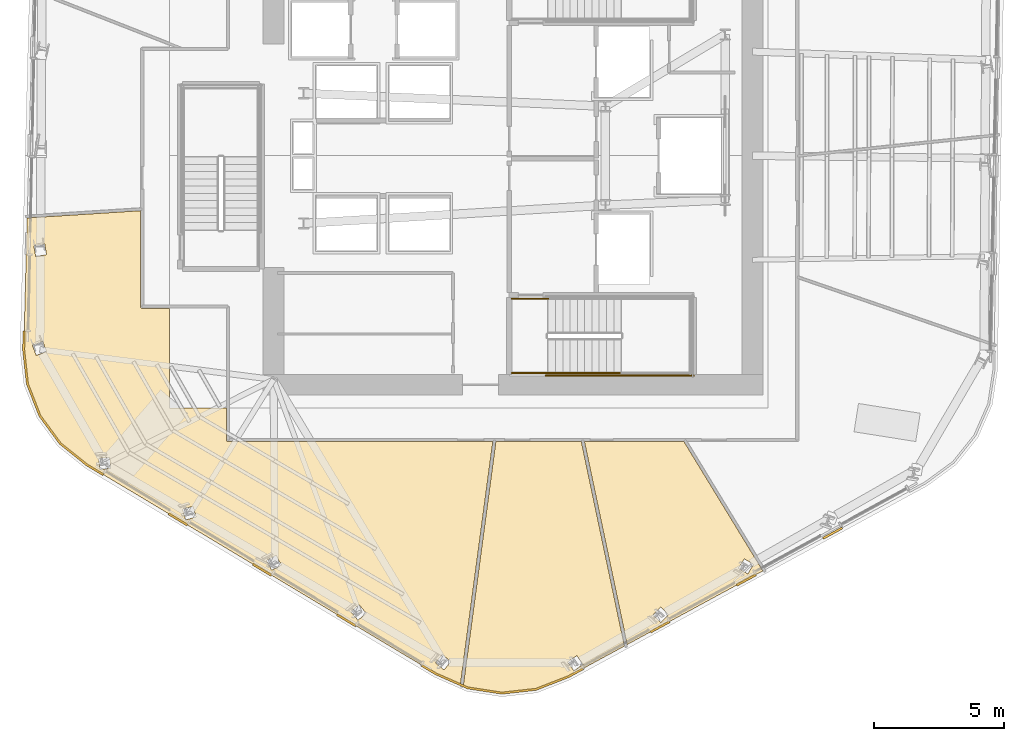
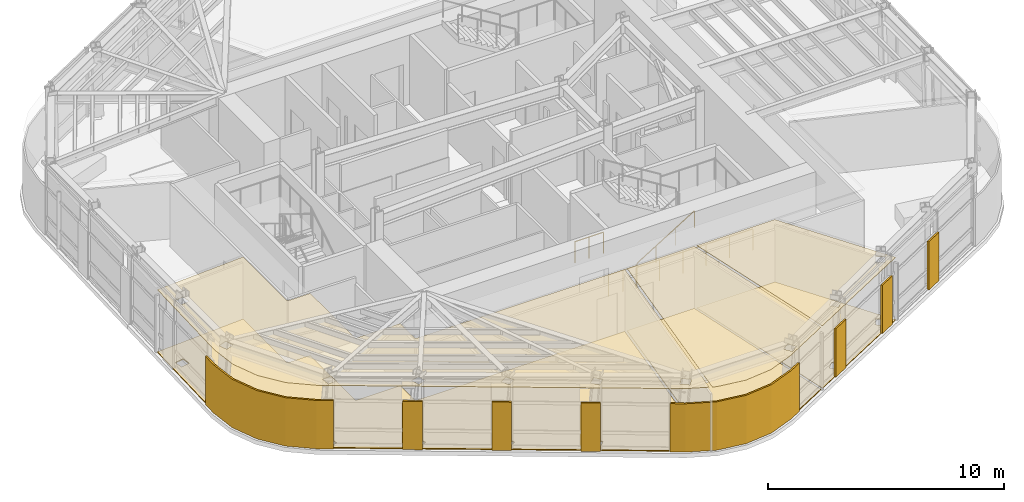
# One storey, part 9 of 14: 14 coverings, 4 railings.
"""IFC4 building model written with IfcOpenShell, lengths in metres."""

import ifcopenshell
import ifcopenshell.guid

model = None  # the IFC model being written
_history = None  # IfcOwnerHistory: only IFC2X3 demands one
_inside = {}  # id of a spatial element -> (the spatial element, [elements in it])
_under = {}  # id of a project, library or spatial element -> (it, [spatial elements below it])
_declared = {}  # id of a project -> (the project, [libraries it declares])
_typed = {}  # id of a type object -> (the type object, [elements of that type])
_made_of = {}  # id of a material, layer set ... -> (it, [elements and type objects made of it])


def new_model(schema):
    """Start an empty IFC model of exactly this schema.

    Asked for "IFC4X3", IfcOpenShell would pick the latest addendum, in which some entities
    have other attributes; the version numbers below select the first issue.
    IFC2X3 requires an IfcOwnerHistory on every rooted entity: one is made here for all.
    """
    global model, _history
    if schema == "IFC4X3":
        model = ifcopenshell.file(schema_version=(4, 3, 0, 0))
    else:
        model = ifcopenshell.file(schema=schema)
    _inside.clear()
    _under.clear()
    _declared.clear()
    _typed.clear()
    _made_of.clear()
    _history = None
    if model.schema == "IFC2X3":
        org = make("IfcOrganization", Name="unknown")
        user = make(
            "IfcPersonAndOrganization",
            ThePerson=make("IfcPerson", FamilyName="unknown"),
            TheOrganization=org,
        )
        app = make(
            "IfcApplication",
            ApplicationDeveloper=org,
            Version="unknown",
            ApplicationFullName="unknown",
            ApplicationIdentifier="unknown",
        )
        _history = make(
            "IfcOwnerHistory",
            OwningUser=user,
            OwningApplication=app,
            ChangeAction="ADDED",
            CreationDate=0,
        )
    return model


def make(cls, **values):
    """One entity of the class cls with the attributes given. An attribute that is None is left unset."""
    return model.create_entity(
        cls, **{name: value for name, value in values.items() if value is not None}
    )


def rooted(cls, **values):
    """An entity with a GlobalId (a new one), such as an element, a storey or a relation."""
    return make(cls, GlobalId=ifcopenshell.guid.new(), OwnerHistory=_history, **values)


def si_unit(unit_type, name, prefix=None):
    """IfcSIUnit, for example si_unit("LENGTHUNIT", "METRE", prefix="MILLI")."""
    return make("IfcSIUnit", UnitType=unit_type, Prefix=prefix, Name=name)


def assignment(units):
    """IfcUnitAssignment: the units of a project."""
    return None if units is None else make("IfcUnitAssignment", Units=units)


def point(xyz):
    """IfcCartesianPoint."""
    return None if xyz is None else make("IfcCartesianPoint", Coordinates=xyz)


def direction(xyz):
    """IfcDirection."""
    return None if xyz is None else make("IfcDirection", DirectionRatios=xyz)


def frame(location, z_axis=None, x_axis=None):
    """IfcAxis2Placement3D, a coordinate frame: its origin and axes. An axis left out is left unset."""
    return make(
        "IfcAxis2Placement3D",
        Location=point(location),
        Axis=direction(z_axis),
        RefDirection=direction(x_axis),
    )


def frame_2d(location, x_axis=None):
    """IfcAxis2Placement2D, a coordinate frame in the plane: its origin and x axis."""
    return make(
        "IfcAxis2Placement2D", Location=point(location), RefDirection=direction(x_axis)
    )


def origin():
    """The frame at (0, 0, 0) with its axes left unset."""
    return frame((0.0, 0.0, 0.0))


def origin_2d():
    """The frame at (0, 0) in the plane with its x axis left unset."""
    return frame_2d((0.0, 0.0))


def place(relative_to, where):
    """IfcLocalPlacement: puts the frame where relative to a parent placement (None: the world)."""
    return make(
        "IfcLocalPlacement", PlacementRelTo=relative_to, RelativePlacement=where
    )


def context(
    kind, dimensions, precision=None, world=None, true_north=None, identifier=None
):
    """IfcGeometricRepresentationContext, for example the 3D "Model" context."""
    return make(
        "IfcGeometricRepresentationContext",
        ContextIdentifier=identifier,
        ContextType=kind,
        CoordinateSpaceDimension=dimensions,
        Precision=precision,
        WorldCoordinateSystem=world,
        TrueNorth=true_north,
    )


def subcontext(parent, identifier, kind, view, scale=None):
    """IfcGeometricRepresentationSubContext, for example "Body" below "Model"."""
    return make(
        "IfcGeometricRepresentationSubContext",
        ContextIdentifier=identifier,
        ContextType=kind,
        ParentContext=parent,
        TargetScale=scale,
        TargetView=view,
    )


def project(units=None, contexts=None):
    """IfcProject with its units and contexts."""
    return rooted(
        "IfcProject",
        Name="project",
        RepresentationContexts=contexts,
        UnitsInContext=assignment(units),
    )


def spatial(cls, under=None, at=None, **own):
    """A site, building, storey or space (cls), placed at a placement, below another one or the project."""
    s = rooted(cls, ObjectPlacement=at, **own)
    if under is not None:
        _under.setdefault(under.id(), (under, []))[1].append(s)
    return s


def polyline(points):
    """IfcPolyline through the points."""
    return make("IfcPolyline", Points=[point(p) for p in points])


def profile(cls, at=None, kind="AREA", **sizes):
    """A parametric profile (cls). Its sizes go by their IFC names, for example OverallWidth=200.0."""
    return make(cls, ProfileType=kind, Position=at, **sizes)


def circle(**sizes):
    """IfcCircleProfileDef."""
    return profile("IfcCircleProfileDef", **sizes)


def outline(outer, holes=None, kind="AREA"):
    """IfcArbitraryClosedProfileDef: a profile drawn as a closed curve; with holes, ...WithVoids."""
    if holes is None:
        return make("IfcArbitraryClosedProfileDef", ProfileType=kind, OuterCurve=outer)
    return make(
        "IfcArbitraryProfileDefWithVoids",
        ProfileType=kind,
        OuterCurve=outer,
        InnerCurves=holes,
    )


def extrude(swept, where, along, depth):
    """IfcExtrudedAreaSolid: the profile swept, set in the frame where, extruded along a direction by depth."""
    return make(
        "IfcExtrudedAreaSolid",
        SweptArea=swept,
        Position=where,
        ExtrudedDirection=direction(along),
        Depth=depth,
    )


def shape(context_of_items, identifier, shape_type, items):
    """IfcShapeRepresentation: the items that make up one representation, for example the "Body"."""
    return make(
        "IfcShapeRepresentation",
        ContextOfItems=context_of_items,
        RepresentationIdentifier=identifier,
        RepresentationType=shape_type,
        Items=items,
    )


def material(Name=None, Category=None):
    """IfcMaterial."""
    return make("IfcMaterial", Name=Name, Category=Category)


def layer(
    of_material, thickness, ventilated=None, Name=None, Category=None, Priority=None
):
    """IfcMaterialLayer: one layer of a wall or slab, of a material (None: an air gap)."""
    return make(
        "IfcMaterialLayer",
        Material=of_material,
        LayerThickness=thickness,
        IsVentilated=ventilated,
        Name=Name,
        Category=Category,
        Priority=Priority,
    )


def layer_set(layers, Name=None):
    """IfcMaterialLayerSet."""
    return make("IfcMaterialLayerSet", MaterialLayers=layers, LayerSetName=Name)


def made_of(thing, what):
    """Note that an element or type object is made of a material, layer set ...; save() writes the relation."""
    if what is not None:
        _made_of.setdefault(what.id(), (what, []))[1].append(thing)
    return thing


def type_object(cls, material=None, **own):
    """A type object (cls), such as IfcWallType, which elements share."""
    return made_of(rooted(cls, **own), material)


def element(
    cls,
    number,
    at=None,
    inside=None,
    cuts=None,
    type_object=None,
    material=None,
    context=None,
    identifier="Body",
    shape_type=None,
    held_by="IfcProductDefinitionShape",
    body=None,
    shapes=None,
    **own,
):
    """One element of the class cls, such as IfcWall. Its Tag is "e" and its number.

    at: its placement. inside: the storey or other place that contains it. cuts: it is an
    opening in that element (IfcRelVoidsElement). A single representation is given by context,
    identifier, shape_type and body (its items); several are given by shapes. held_by: the class
    of the entity that holds the representations. save() writes the other relations.
    """
    e = rooted(cls, Tag="e%d" % number, ObjectPlacement=at, **own)
    if body is not None:
        shapes = [shape(context, identifier, shape_type, body)]
    if shapes is not None:
        e.Representation = make(held_by, Representations=shapes)
    if inside is not None:
        _inside.setdefault(inside.id(), (inside, []))[1].append(e)
    if cuts is not None:
        rooted(
            "IfcRelVoidsElement", RelatingBuildingElement=cuts, RelatedOpeningElement=e
        )
    if type_object is not None:
        _typed.setdefault(type_object.id(), (type_object, []))[1].append(e)
    return made_of(e, material)


def aggregate(whole, parts):
    """IfcRelAggregates: a whole, such as a stair, and the parts it consists of."""
    return rooted("IfcRelAggregates", RelatingObject=whole, RelatedObjects=parts)


def save(model, path):
    """Write the relations noted so far, then the file.

    IfcRelAggregates (storeys below a building ...), IfcRelContainedInSpatialStructure (elements
    in a storey), IfcRelDefinesByType, IfcRelAssociatesMaterial and IfcRelDeclares: one each for
    every whole, place, type object, material and project.
    """
    for whole, parts in _under.values():
        aggregate(whole, parts)
    for where, things in _inside.values():
        rooted(
            "IfcRelContainedInSpatialStructure",
            RelatedElements=things,
            RelatingStructure=where,
        )
    for kind, things in _typed.values():
        rooted("IfcRelDefinesByType", RelatedObjects=things, RelatingType=kind)
    for what, things in _made_of.values():
        rooted("IfcRelAssociatesMaterial", RelatedObjects=things, RelatingMaterial=what)
    for by, libraries in _declared.values():
        rooted("IfcRelDeclares", RelatingContext=by, RelatedDefinitions=libraries)
    model.write(path)


model = new_model("IFC4")

# Units and contexts
model_context = context("Model", 3, precision=1e-05, world=origin(), true_north=direction((0.0, 1.0)))
body_context = subcontext(model_context, "Body", "Model", "MODEL_VIEW")
ifc_project = project(units=[si_unit("LENGTHUNIT", "METRE"), si_unit("AREAUNIT", "SQUARE_METRE"), si_unit("VOLUMEUNIT", "CUBIC_METRE"), si_unit("PLANEANGLEUNIT", "RADIAN"), si_unit("MASSUNIT", "GRAM", prefix="KILO")], contexts=[model_context])

# Site, building, storey
site_placement = place(None, origin())
site = spatial("IfcSite", under=ifc_project, at=site_placement, CompositionType="ELEMENT")
building_placement = place(site_placement, origin())
building = spatial("IfcBuilding", under=site, at=building_placement, Name="Valkerne Bourse Tower", CompositionType="ELEMENT")
storey_placement = place(building_placement, frame((0.0, 0.0, 147.60009765625)))
storey = spatial("IfcBuildingStorey", under=building, at=storey_placement, Name="L37", CompositionType="ELEMENT", Elevation=147.60009765625)

# Coverings
ifc_material_1 = material(Name="Mineral Fiber Acoustic Ceiling Tile", Category="acoustic")
ifc_layer_1 = layer(ifc_material_1, 0.02490234375)
ifc_layer_set_1 = layer_set([ifc_layer_1], Name="Mineral Fiber Acoustic Ceiling Tile")
covering_type_1 = type_object("IfcCoveringType", Name="COV-CEIL-ACT", PredefinedType="CEILING", material=ifc_layer_set_1)
covering_1_placement = place(storey_placement, frame((0.0, 0.0, 3.22998046875)))
element("IfcCovering", 1, at=covering_1_placement, inside=storey, type_object=covering_type_1, Name="L37 Suspended Ceiling 04", PredefinedType="CEILING", context=body_context, shape_type="SweptSolid", body=[
    extrude(outline(polyline([(53.3671875, 16.010986328125), (56.398681640625, 11.04443359375), (51.187255859375, 8.21435546875), (49.544189453125, 16.010986328125), (53.3671875, 16.010986328125)]), holes=[polyline([(52.770263671875, 9.36962890625), (52.47119140625, 9.656005859375), (52.46875, 9.6552734375), (52.176513671875, 9.3486328125), (52.475341796875, 9.06201171875), (52.47802734375, 9.06298828125), (52.770263671875, 9.36962890625)]), polyline([(55.81787109375, 10.930908203125), (56.041748046875, 11.290771484375), (55.690673828125, 11.51025390625), (55.688232421875, 11.509033203125), (55.464599609375, 11.1494140625), (55.815673828125, 10.9296875), (55.81787109375, 10.930908203125)])]), origin(), (0.0, 0.0, 1.0), 0.02490234375),
])
covering_2_placement = place(storey_placement, frame((0.0, 0.0, 3.22998046875)))
element("IfcCovering", 2, at=covering_2_placement, inside=storey, type_object=covering_type_1, Name="L37 Suspended Ceiling 06", PredefinedType="CEILING", context=body_context, shape_type="SweptSolid", body=[
    extrude(outline(polyline([(46.367431640625, 6.354248046875), (45.06298828125, 6.5537109375), (44.888427734375, 6.630615234375), (46.139892578125, 16.010986328125), (49.423583984375, 16.010986328125), (51.0791015625, 8.155517578125), (48.917724609375, 6.98193359375), (47.67919921875, 6.4990234375), (46.367431640625, 6.354248046875)]), holes=[polyline([(49.142578125, 7.20654296875), (49.4873046875, 7.452880859375), (49.247314453125, 7.790283203125), (49.244384765625, 7.7900390625), (48.89990234375, 7.543701171875), (49.139892578125, 7.206298828125), (49.142578125, 7.20654296875)])]), origin(), (0.0, 0.0, 1.0), 0.02490234375),
])
covering_3_placement = place(storey_placement, frame((0.0, 0.0, 3.22998046875)))
element("IfcCovering", 3, at=covering_3_placement, inside=storey, type_object=covering_type_1, Name="L37 Suspended Ceiling 10", PredefinedType="CEILING", context=body_context, shape_type="SweptSolid", body=[
    extrude(outline(polyline([(29.4033203125, 15.943115234375), (28.622314453125, 17.006591796875), (28.142822265625, 18.236083984375), (27.9970703125, 19.556884765625), (28.12890625, 24.606689453125), (32.48095703125, 24.885498046875), (32.48095703125, 21.19921875), (32.498291015625, 21.154296875), (32.52099609375, 21.13720703125), (32.549560546875, 21.131103515625), (33.60009765625, 21.131103515625), (33.60009765625, 17.300048828125), (35.781005859375, 17.300048828125), (35.781005859375, 16.07958984375), (35.790283203125, 16.044921875), (35.814208984375, 16.02099609375), (35.849365234375, 16.010986328125), (46.02099609375, 16.010986328125), (44.77587890625, 6.679931640625), (43.845947265625, 7.088134765625), (30.4404296875, 15.1123046875), (29.4033203125, 15.943115234375)]), holes=[polyline([(37.695068359375, 11.640380859375), (37.692626953125, 11.6416015625), (37.327392578125, 11.446533203125), (37.5263671875, 11.072265625), (37.528564453125, 11.071044921875), (37.893798828125, 11.26611328125), (37.695068359375, 11.640380859375)]), polyline([(34.49951171875, 13.527099609375), (34.49755859375, 13.529052734375), (34.100341796875, 13.412109375), (34.218994140625, 13.00537109375), (34.220947265625, 13.003662109375), (34.6181640625, 13.12060546875), (34.49951171875, 13.527099609375)]), polyline([(31.33447265625, 14.984375), (31.294921875, 15.406005859375), (31.293212890625, 15.408203125), (30.881103515625, 15.368408203125), (30.9208984375, 14.946533203125), (30.922607421875, 14.9443359375), (31.33447265625, 14.984375)]), polyline([(28.872802734375, 19.474853515625), (28.727294921875, 19.861328125), (28.726318359375, 19.864013671875), (28.328857421875, 19.714599609375), (28.474365234375, 19.327880859375), (28.475341796875, 19.3251953125), (28.872802734375, 19.474853515625)]), polyline([(28.8037109375, 23.603759765625), (28.802978515625, 23.6064453125), (28.384765625, 23.5341796875), (28.454833984375, 23.127197265625), (28.455322265625, 23.12451171875), (28.873779296875, 23.19677734375), (28.8037109375, 23.603759765625)]), polyline([(44.082763671875, 7.8310546875), (44.079833984375, 7.83154296875), (43.817626953125, 7.510986328125), (44.144775390625, 7.241943359375), (44.1474609375, 7.241455078125), (44.40966796875, 7.56201171875), (44.082763671875, 7.8310546875)]), polyline([(40.886962890625, 9.74169921875), (40.884521484375, 9.742431640625), (40.566650390625, 9.47705078125), (40.83740234375, 9.151123046875), (40.83984375, 9.150390625), (41.15771484375, 9.415771484375), (40.886962890625, 9.74169921875)])]), origin(), (0.0, 0.0, 1.0), 0.02490234375),
])
ifc_material_2 = material(Name="Bronze Anodised Aluminium AA 6063-T6", Category="aluminium")
ifc_layer_2 = layer(ifc_material_2, 0.06005859375)
ifc_layer_set_2 = layer_set([ifc_layer_2], Name="Bronze Anodised Aluminium AA 6063-T6")
covering_type_2 = type_object("IfcCoveringType", Name="COV-CRN-ALUM", PredefinedType="CLADDING", material=ifc_layer_set_2)
covering_4_placement = place(storey_placement, origin())
element("IfcCovering", 4, at=covering_4_placement, inside=storey, type_object=covering_type_2, Name="L37 Wind-Shaped Corner Aluminium Cladding 02", PredefinedType="CLADDING", context=body_context, shape_type="SweptSolid", body=[
    extrude(outline(polyline([(58.727783203125, 12.25927734375), (58.689208984375, 12.329345703125), (59.427490234375, 12.730224609375), (59.466064453125, 12.66015625), (58.727783203125, 12.25927734375)])), origin(), (0.0, 0.0, 1.0), 2.5),
])
covering_5_placement = place(storey_placement, origin())
element("IfcCovering", 5, at=covering_5_placement, inside=storey, type_object=covering_type_2, Name="L37 Wind-Shaped Corner Aluminium Cladding 03", PredefinedType="CLADDING", context=body_context, shape_type="SweptSolid", body=[
    extrude(outline(polyline([(55.413818359375, 10.459716796875), (55.375244140625, 10.52978515625), (56.113525390625, 10.9306640625), (56.152099609375, 10.860595703125), (55.413818359375, 10.459716796875)])), origin(), (0.0, 0.0, 1.0), 2.5),
])
covering_6_placement = place(storey_placement, origin())
element("IfcCovering", 6, at=covering_6_placement, inside=storey, type_object=covering_type_2, Name="L37 Wind-Shaped Corner Aluminium Cladding 04", PredefinedType="CLADDING", context=body_context, shape_type="SweptSolid", body=[
    extrude(outline(polyline([(52.10009765625, 8.659912109375), (52.061279296875, 8.72998046875), (52.799560546875, 9.130859375), (52.838134765625, 9.060791015625), (52.10009765625, 8.659912109375)])), origin(), (0.0, 0.0, 1.0), 2.5),
])
covering_7_placement = place(storey_placement, origin())
element("IfcCovering", 7, at=covering_7_placement, inside=storey, type_object=covering_type_2, Name="L37 Wind-Shaped Corner Aluminium Cladding 05", PredefinedType="CLADDING", context=body_context, shape_type="SweptSolid", body=[
    extrude(outline(polyline([(48.936279296875, 6.94189453125), (47.689697265625, 6.4560546875), (46.36669921875, 6.309814453125), (45.05078125, 6.51123046875), (43.82568359375, 7.049072265625), (43.251708984375, 7.392578125), (43.293212890625, 7.461181640625), (43.8623046875, 7.120361328125), (45.0732421875, 6.588623046875), (46.368408203125, 6.390380859375), (47.67041015625, 6.5341796875), (48.902587890625, 7.0146484375), (49.485595703125, 7.331298828125), (49.524169921875, 7.26123046875), (48.936279296875, 6.94189453125)])), origin(), (0.0, 0.0, 1.0), 2.5),
])
covering_8_placement = place(storey_placement, origin())
element("IfcCovering", 8, at=covering_8_placement, inside=storey, type_object=covering_type_2, Name="L37 Wind-Shaped Corner Aluminium Cladding 06", PredefinedType="CLADDING", context=body_context, shape_type="SweptSolid", body=[
    extrude(outline(polyline([(40.01611328125, 9.329345703125), (40.057373046875, 9.397705078125), (40.7783203125, 8.96630859375), (40.73681640625, 8.89794921875), (40.01611328125, 9.329345703125)])), origin(), (0.0, 0.0, 1.0), 2.5),
])
covering_9_placement = place(storey_placement, origin())
element("IfcCovering", 9, at=covering_9_placement, inside=storey, type_object=covering_type_2, Name="L37 Wind-Shaped Corner Aluminium Cladding 07", PredefinedType="CLADDING", context=body_context, shape_type="SweptSolid", body=[
    extrude(outline(polyline([(36.7802734375, 11.26611328125), (36.82177734375, 11.334716796875), (37.54248046875, 10.9033203125), (37.5009765625, 10.834716796875), (36.7802734375, 11.26611328125)])), origin(), (0.0, 0.0, 1.0), 2.5),
])
covering_10_placement = place(storey_placement, origin())
element("IfcCovering", 10, at=covering_10_placement, inside=storey, type_object=covering_type_2, Name="L37 Wind-Shaped Corner Aluminium Cladding 08", PredefinedType="CLADDING", context=body_context, shape_type="SweptSolid", body=[
    extrude(outline(polyline([(33.54443359375, 13.203125), (33.5859375, 13.271484375), (34.306640625, 12.840087890625), (34.265380859375, 12.771484375), (33.54443359375, 13.203125)])), origin(), (0.0, 0.0, 1.0), 2.5),
])
covering_11_placement = place(storey_placement, origin())
element("IfcCovering", 11, at=covering_11_placement, inside=storey, type_object=covering_type_2, Name="L37 Wind-Shaped Corner Aluminium Cladding 09", PredefinedType="CLADDING", context=body_context, shape_type="SweptSolid", body=[
    extrude(outline(polyline([(30.415283203125, 15.076171875), (29.371337890625, 15.91259765625), (28.58349609375, 16.9853515625), (28.099853515625, 18.2255859375), (27.952880859375, 19.554931640625), (27.9716796875, 20.270751953125), (28.0517578125, 20.26904296875), (28.033203125, 19.558349609375), (28.17822265625, 18.244873046875), (28.654052734375, 17.024169921875), (29.4296875, 15.968505859375), (30.4609375, 15.14208984375), (31.071044921875, 14.77685546875), (31.02978515625, 14.70849609375), (30.415283203125, 15.076171875)])), origin(), (0.0, 0.0, 1.0), 2.5),
])
ifc_material_3 = material(Name="Galvanised Painted Steel", Category="steel")
ifc_layer_3 = layer(ifc_material_3, 0.044921875)
ifc_layer_set_3 = layer_set([ifc_layer_3], Name="Galvanised Painted Steel")
covering_type_3 = type_object("IfcCoveringType", Name="COV-FLR-RAF", PredefinedType="FLOORING", material=ifc_layer_set_3)
covering_12_placement = place(storey_placement, origin())
element("IfcCovering", 12, at=covering_12_placement, inside=storey, type_object=covering_type_3, Name="L37 Floor Finish 06", PredefinedType="FLOORING", context=body_context, shape_type="SweptSolid", body=[
    extrude(outline(polyline([(46.367431640625, 6.354248046875), (45.06298828125, 6.5537109375), (44.888427734375, 6.630615234375), (46.139892578125, 16.010986328125), (49.423583984375, 16.010986328125), (51.0791015625, 8.155517578125), (48.917724609375, 6.98193359375), (47.67919921875, 6.4990234375), (46.367431640625, 6.354248046875)]), holes=[polyline([(49.142578125, 7.20654296875), (49.4873046875, 7.452880859375), (49.247314453125, 7.790283203125), (49.244384765625, 7.7900390625), (48.89990234375, 7.543701171875), (49.139892578125, 7.206298828125), (49.142578125, 7.20654296875)])]), origin(), (0.0, 0.0, 1.0), 0.044921875),
])
covering_13_placement = place(storey_placement, origin())
element("IfcCovering", 13, at=covering_13_placement, inside=storey, type_object=covering_type_3, Name="L37 Floor Finish 10", PredefinedType="FLOORING", context=body_context, shape_type="SweptSolid", body=[
    extrude(outline(polyline([(29.4033203125, 15.943115234375), (28.622314453125, 17.006591796875), (28.142822265625, 18.236083984375), (27.9970703125, 19.556884765625), (28.12890625, 24.606689453125), (32.48095703125, 24.885498046875), (32.48095703125, 21.19921875), (32.498291015625, 21.154296875), (32.52099609375, 21.13720703125), (32.549560546875, 21.131103515625), (33.60009765625, 21.131103515625), (33.60009765625, 17.300048828125), (35.781005859375, 17.300048828125), (35.781005859375, 16.07958984375), (35.790283203125, 16.044921875), (35.814208984375, 16.02099609375), (35.849365234375, 16.010986328125), (46.02099609375, 16.010986328125), (44.77587890625, 6.679931640625), (43.845947265625, 7.088134765625), (30.4404296875, 15.1123046875), (29.4033203125, 15.943115234375)]), holes=[polyline([(37.695068359375, 11.640380859375), (37.692626953125, 11.6416015625), (37.327392578125, 11.446533203125), (37.5263671875, 11.072265625), (37.528564453125, 11.071044921875), (37.893798828125, 11.26611328125), (37.695068359375, 11.640380859375)]), polyline([(34.49951171875, 13.527099609375), (34.49755859375, 13.529052734375), (34.100341796875, 13.412109375), (34.218994140625, 13.00537109375), (34.220947265625, 13.003662109375), (34.6181640625, 13.12060546875), (34.49951171875, 13.527099609375)]), polyline([(31.33447265625, 14.984375), (31.294921875, 15.406005859375), (31.293212890625, 15.408203125), (30.881103515625, 15.368408203125), (30.9208984375, 14.946533203125), (30.922607421875, 14.9443359375), (31.33447265625, 14.984375)]), polyline([(28.872802734375, 19.474853515625), (28.727294921875, 19.861328125), (28.726318359375, 19.864013671875), (28.328857421875, 19.714599609375), (28.474365234375, 19.327880859375), (28.475341796875, 19.3251953125), (28.872802734375, 19.474853515625)]), polyline([(28.8037109375, 23.603759765625), (28.802978515625, 23.6064453125), (28.384765625, 23.5341796875), (28.454833984375, 23.127197265625), (28.455322265625, 23.12451171875), (28.873779296875, 23.19677734375), (28.8037109375, 23.603759765625)]), polyline([(44.082763671875, 7.8310546875), (44.079833984375, 7.83154296875), (43.817626953125, 7.510986328125), (44.144775390625, 7.241943359375), (44.1474609375, 7.241455078125), (44.40966796875, 7.56201171875), (44.082763671875, 7.8310546875)]), polyline([(40.886962890625, 9.74169921875), (40.884521484375, 9.742431640625), (40.566650390625, 9.47705078125), (40.83740234375, 9.151123046875), (40.83984375, 9.150390625), (41.15771484375, 9.415771484375), (40.886962890625, 9.74169921875)])]), origin(), (0.0, 0.0, 1.0), 0.044921875),
])
ifc_material_4 = material(Name="Polished Granite Stone", Category="masonry")
ifc_layer_4 = layer(ifc_material_4, 0.030029296875)
ifc_layer_set_4 = layer_set([ifc_layer_4], Name="Polished Granite Stone")
covering_type_4 = type_object("IfcCoveringType", Name="COV-FLR-TERRAZZO", PredefinedType="FLOORING", material=ifc_layer_set_4)
covering_14_placement = place(storey_placement, origin())
element("IfcCovering", 14, at=covering_14_placement, inside=storey, type_object=covering_type_4, Name="L37 Floor Finish 04", PredefinedType="FLOORING", context=body_context, shape_type="SweptSolid", body=[
    extrude(outline(polyline([(53.3671875, 16.010986328125), (56.398681640625, 11.04443359375), (51.187255859375, 8.21435546875), (49.544189453125, 16.010986328125), (53.3671875, 16.010986328125)]), holes=[polyline([(52.770263671875, 9.36962890625), (52.47119140625, 9.656005859375), (52.46875, 9.6552734375), (52.176513671875, 9.3486328125), (52.475341796875, 9.06201171875), (52.47802734375, 9.06298828125), (52.770263671875, 9.36962890625)]), polyline([(55.81787109375, 10.930908203125), (56.041748046875, 11.290771484375), (55.690673828125, 11.51025390625), (55.688232421875, 11.509033203125), (55.464599609375, 11.1494140625), (55.815673828125, 10.9296875), (55.81787109375, 10.930908203125)])]), origin(), (0.0, 0.0, 1.0), 0.02978515625),
])

# Railings
railing_type_1 = type_object("IfcRailingType", Name="RLG-ST-GUARD-1120", PredefinedType="GUARDRAIL", material=ifc_material_3)
for number, where, name in (
    (15, (46.75, 18.64990234375, 0.0), "L37 ST-1 stair guard 8"),
    (16, (46.75, 21.5, 0.0), "L37 ST-1 stair guard 9"),
):
    element("IfcRailing", number, at=place(storey_placement, frame(where)), inside=storey, type_object=railing_type_1, Name=name, PredefinedType="GUARDRAIL", context=body_context, shape_type="SweptSolid", body=[
        extrude(circle(Radius=0.02392578125, at=origin_2d()), frame((0.0, 0.0, 1.09619140625), z_axis=(1.0, 0.0, 0.0), x_axis=(0.0, 1.0, 0.0)), (0.0, 0.0, 1.0), 1.39990234375),
        extrude(circle(Radius=0.02099609375, at=origin_2d()), origin(), (0.0, 0.0, 1.0), 1.072021484375),
        extrude(circle(Radius=0.02099609375, at=origin_2d()), frame((0.699951171875, 0.0, 0.0)), (0.0, 0.0, 1.0), 1.072021484375),
        extrude(circle(Radius=0.02099609375, at=origin_2d()), frame((1.39990234375, 0.0, 0.0)), (0.0, 0.0, 1.0), 1.072021484375),
    ])
railing_1_placement = place(storey_placement, frame((48.050048828125, 18.550048828125, 0.0)))
element("IfcRailing", 17, at=railing_1_placement, inside=storey, type_object=railing_type_1, Name="L37 ST-1 stair guard 10", PredefinedType="GUARDRAIL", context=body_context, shape_type="SweptSolid", body=[
    extrude(circle(Radius=0.02392578125, at=origin_2d()), frame((0.0, 0.0, 1.09619140625), z_axis=(1.0, 0.0, 0.0), x_axis=(0.0, 1.0, 0.0)), (0.0, 0.0, 1.0), 5.699951171875),
    extrude(circle(Radius=0.02099609375, at=origin_2d()), origin(), (0.0, 0.0, 1.0), 1.072021484375),
    extrude(circle(Radius=0.02099609375, at=origin_2d()), frame((1.139892578125, 0.0, 0.0)), (0.0, 0.0, 1.0), 1.072021484375),
    extrude(circle(Radius=0.02099609375, at=origin_2d()), frame((2.280029296875, 0.0, 0.0)), (0.0, 0.0, 1.0), 1.072021484375),
    extrude(circle(Radius=0.02099609375, at=origin_2d()), frame((3.419921875, 0.0, 0.0)), (0.0, 0.0, 1.0), 1.072021484375),
    extrude(circle(Radius=0.02099609375, at=origin_2d()), frame((4.56005859375, 0.0, 0.0)), (0.0, 0.0, 1.0), 1.072021484375),
    extrude(circle(Radius=0.02099609375, at=origin_2d()), frame((5.699951171875, 0.0, 0.0)), (0.0, 0.0, 1.0), 1.072021484375),
])
ifc_material_5 = material(Name="Stainless Steel AISI 316", Category="steel")
railing_type_2 = type_object("IfcRailingType", Name="RLG-ST-HANDRAIL-900", PredefinedType="HANDRAIL", material=ifc_material_5)
railing_2_placement = place(storey_placement, frame((48.14990234375, 18.64990234375, 0.345458984375)))
element("IfcRailing", 18, at=railing_2_placement, inside=storey, type_object=railing_type_2, Name="L37 ST-1 stair handrail 1", PredefinedType="HANDRAIL", context=body_context, shape_type="SweptSolid", body=[
    extrude(circle(Radius=0.02392578125, at=origin_2d()), frame((0.0, 0.0, 0.8759765625), z_axis=(0.851122791225, 0.0, 0.524966660138), x_axis=(0.0, 1.0, 0.0)), (0.0, 0.0, 1.0), 3.289794921875),
    extrude(circle(Radius=0.02099609375, at=origin_2d()), origin(), (0.0, 0.0, 1.0), 0.851806640625),
    extrude(circle(Radius=0.02099609375, at=origin_2d()), frame((0.933349609375, 0.0, 0.57568359375)), (0.0, 0.0, 1.0), 0.851806640625),
    extrude(circle(Radius=0.02099609375, at=origin_2d()), frame((1.86669921875, 0.0, 1.1513671875)), (0.0, 0.0, 1.0), 0.851806640625),
    extrude(circle(Radius=0.02099609375, at=origin_2d()), frame((2.800048828125, 0.0, 1.72705078125)), (0.0, 0.0, 1.0), 0.851806640625),
])

save(model, "model.ifc")
